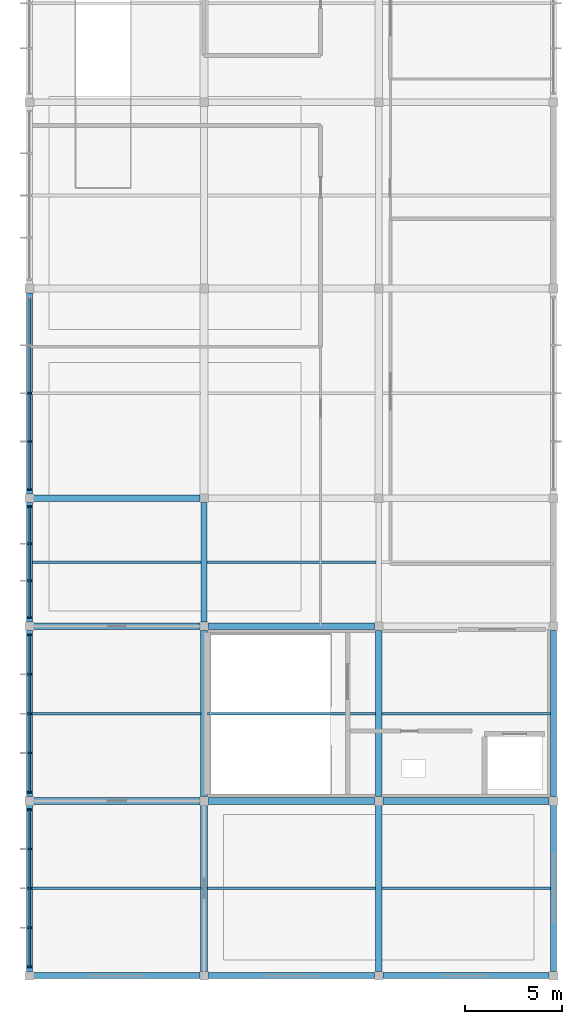
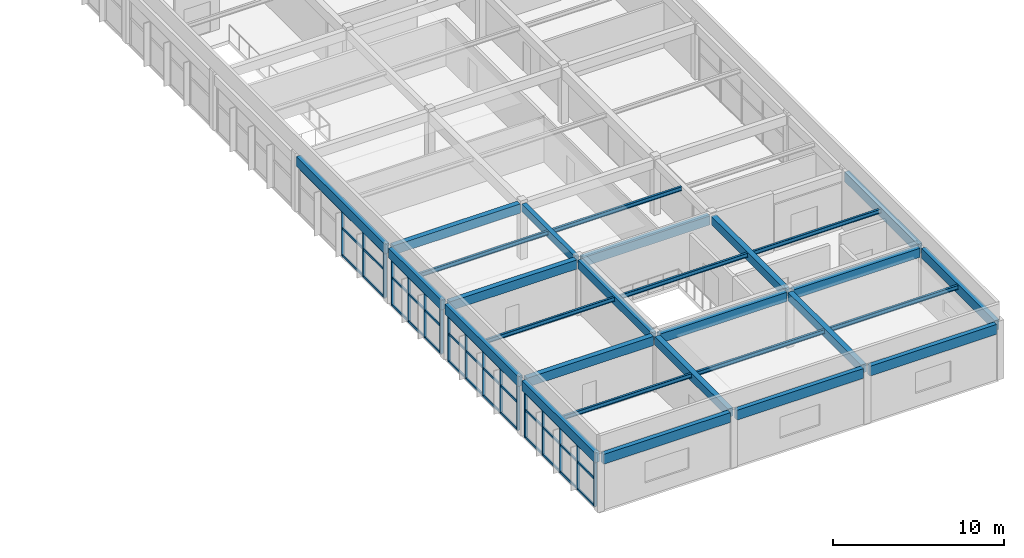
# One storey, part 2 of 10: 47 members, 28 beams, 4 elements without a shape of their own.
"""IFC4 building model written with IfcOpenShell, lengths in metres."""

from ifc_helpers import new_model, si_unit, direction, frame, origin, origin_2d, place, context, subcontext, project, spatial, rectangle, i_section, extrude, material, material_profile, profile_set, type_object, element, aggregate, save


model = new_model("IFC4")

# Units and contexts
model_context = context("Model", 3, precision=1e-05, world=origin(), true_north=direction((0.0, 1.0)))
body_context = subcontext(model_context, "Body", "Model", "MODEL_VIEW")
ifc_project = project(units=[si_unit("LENGTHUNIT", "METRE"), si_unit("AREAUNIT", "SQUARE_METRE"), si_unit("VOLUMEUNIT", "CUBIC_METRE"), si_unit("PLANEANGLEUNIT", "RADIAN"), si_unit("MASSUNIT", "GRAM", prefix="KILO")], contexts=[model_context])

# Site, building, storey
site_placement = place(None, origin())
site = spatial("IfcSite", under=ifc_project, at=site_placement, CompositionType="ELEMENT")
building_placement = place(site_placement, origin())
building = spatial("IfcBuilding", under=site, at=building_placement, Name="Suirenkawa Promenade Aquatics Centre", CompositionType="ELEMENT")
storey_placement = place(building_placement, frame((0.0, 0.0, 18.60009765625)))
storey = spatial("IfcBuildingStorey", under=building, at=storey_placement, Name="L04", CompositionType="ELEMENT", Elevation=18.60009765625)

# Beams
ifc_material_1 = material(Name="Steel IS 2062 E350 (Grade 350)", Category="steel")
ifc_material_profile_1 = material_profile(ifc_material_1, i_section(OverallWidth=0.139892578125, OverallDepth=0.300048828125, WebThickness=0.008056640625, FlangeThickness=0.012939453125, at=origin_2d()), Name="ISMB 300", Category="steel")
ifc_profile_set_1 = profile_set([ifc_material_profile_1], Name="Steel IS 2062 E350 (Grade 350)")
beam_type_1 = type_object("IfcBeamType", Name="BT-JOIST-ISMB300", PredefinedType="JOIST", material=ifc_profile_set_1)
for number, where, z_axis, x_axis, name in (
    (1, (0.14404296875, 8.699951171875, 3.81787109375), (1.0, 0.0, 0.0), (0.0, 1.0, 0.0), "Secondary floor joist JS-02 BM-0887"),
    (2, (0.14404296875, 17.699951171875, 3.81787109375), (1.0, 0.0, 0.0), (0.0, 1.0, 0.0), "Secondary floor joist JS-02 BM-0888"),
):
    element("IfcBeam", number, at=place(storey_placement, frame(where, z_axis=z_axis, x_axis=x_axis)), inside=storey, type_object=beam_type_1, Name=name, PredefinedType="JOIST", context=body_context, shape_type="SweptSolid", body=[
        extrude(i_section(OverallWidth=0.139892578125, OverallDepth=0.300048828125, WebThickness=0.008056640625, FlangeThickness=0.012939453125, at=origin_2d()), origin(), (0.0, 0.0, 1.0), 8.68701171875),
    ])
beam_1_placement = place(storey_placement, frame((0.14404296875, 25.5, 3.81787109375), z_axis=(1.0, 0.0, 0.0), x_axis=(0.0, 1.0, 0.0)))
element("IfcBeam", 3, at=beam_1_placement, inside=storey, type_object=beam_type_1, Name="Secondary floor joist JS-02 BM-0889", PredefinedType="JOIST", context=body_context, shape_type="SweptSolid", body=[
    extrude(i_section(OverallWidth=0.139892578125, OverallDepth=0.300048828125, WebThickness=0.008056640625, FlangeThickness=0.012939453125, at=origin_2d()), origin(), (0.0, 0.0, 1.0), 8.7119140625),
])
for number, where, z_axis, x_axis, name in (
    (4, (9.1689453125, 8.699951171875, 3.81787109375), (1.0, 0.0, 0.0), (0.0, 1.0, 0.0), "Secondary floor joist JS-02 BM-0894"),
    (5, (9.1689453125, 17.699951171875, 3.81787109375), (1.0, 0.0, 0.0), (0.0, 1.0, 0.0), "Secondary floor joist JS-02 BM-0895"),
):
    element("IfcBeam", number, at=place(storey_placement, frame(where, z_axis=z_axis, x_axis=x_axis)), inside=storey, type_object=beam_type_1, Name=name, PredefinedType="JOIST", context=body_context, shape_type="SweptSolid", body=[
        extrude(i_section(OverallWidth=0.139892578125, OverallDepth=0.300048828125, WebThickness=0.008056640625, FlangeThickness=0.012939453125, at=origin_2d()), origin(), (0.0, 0.0, 1.0), 8.662109375),
    ])
beam_2_placement = place(storey_placement, frame((9.14404296875, 25.5, 3.81787109375), z_axis=(1.0, 0.0, 0.0), x_axis=(0.0, 1.0, 0.0)))
element("IfcBeam", 6, at=beam_2_placement, inside=storey, type_object=beam_type_1, Name="Secondary floor joist JS-02 BM-0896", PredefinedType="JOIST", context=body_context, shape_type="SweptSolid", body=[
    extrude(i_section(OverallWidth=0.139892578125, OverallDepth=0.300048828125, WebThickness=0.008056640625, FlangeThickness=0.012939453125, at=origin_2d()), origin(), (0.0, 0.0, 1.0), 8.7119140625),
])
for number, where, z_axis, x_axis, name in (
    (7, (18.1689453125, 8.699951171875, 3.81787109375), (1.0, 0.0, 0.0), (0.0, 1.0, 0.0), "Secondary floor joist JS-02 BM-0901"),
    (8, (18.1689453125, 17.699951171875, 3.81787109375), (1.0, 0.0, 0.0), (0.0, 1.0, 0.0), "Secondary floor joist JS-02 BM-0902"),
):
    element("IfcBeam", number, at=place(storey_placement, frame(where, z_axis=z_axis, x_axis=x_axis)), inside=storey, type_object=beam_type_1, Name=name, PredefinedType="JOIST", context=body_context, shape_type="SweptSolid", body=[
        extrude(i_section(OverallWidth=0.139892578125, OverallDepth=0.300048828125, WebThickness=0.008056640625, FlangeThickness=0.012939453125, at=origin_2d()), origin(), (0.0, 0.0, 1.0), 8.68701171875),
    ])
ifc_material_2 = material(Name="Concrete M35", Category="concrete")
ifc_material_profile_2 = material_profile(ifc_material_2, rectangle(XDim=0.300048828125, YDim=0.550048828125, at=origin_2d()), Name="RC BM 300x550", Category="concrete")
ifc_profile_set_2 = profile_set([ifc_material_profile_2], Name="Concrete M35")
beam_type_2 = type_object("IfcBeamType", Name="BT-RC-300x550", PredefinedType="BEAM", material=ifc_profile_set_2)
beam_3_placement = place(storey_placement, frame((9.0, 22.4189453125, 3.69482421875), z_axis=(0.0, 1.0, 0.0), x_axis=(-1.0, 0.0, 0.0)))
element("IfcBeam", 9, at=beam_3_placement, inside=storey, type_object=beam_type_2, Name="Floor beam BM-01 BM-0868", PredefinedType="BEAM", context=body_context, shape_type="SweptSolid", body=[
    extrude(rectangle(XDim=0.300048828125, YDim=0.550048828125, at=origin_2d()), origin(), (0.0, 0.0, 1.0), 6.162109375),
])
ifc_material_profile_3 = material_profile(ifc_material_2, rectangle(XDim=0.35009765625, YDim=0.60009765625, at=origin_2d()), Name="RC BM 350x600", Category="concrete")
ifc_profile_set_3 = profile_set([ifc_material_profile_3], Name="Concrete M35")
beam_type_3 = type_object("IfcBeamType", Name="BT-RC-350x600", PredefinedType="BEAM", material=ifc_profile_set_3)
for number, where, z_axis, x_axis, name in (
    (10, (9.0, 4.4189453125, 3.669921875), (0.0, 1.0, 0.0), (-1.0, 0.0, 0.0), "Floor beam BM-02 BM-0866"),
    (11, (9.0, 13.4189453125, 3.669921875), (0.0, 1.0, 0.0), (-1.0, 0.0, 0.0), "Floor beam BM-02 BM-0867"),
    (12, (18.0, 4.4189453125, 3.669921875), (0.0, 1.0, 0.0), (-1.0, 0.0, 0.0), "Floor beam BM-02 BM-0873"),
    (13, (18.0, 13.4189453125, 3.669921875), (0.0, 1.0, 0.0), (-1.0, 0.0, 0.0), "Floor beam BM-02 BM-0874"),
):
    element("IfcBeam", number, at=place(storey_placement, frame(where, z_axis=z_axis, x_axis=x_axis)), inside=storey, type_object=beam_type_3, Name=name, PredefinedType="BEAM", context=body_context, shape_type="SweptSolid", body=[
        extrude(rectangle(XDim=0.35009765625, YDim=0.60009765625, at=origin_2d()), origin(), (0.0, 0.0, 1.0), 8.56201171875),
    ])
ifc_material_profile_4 = material_profile(ifc_material_2, rectangle(XDim=0.35009765625, YDim=0.64990234375, at=origin_2d()), Name="RC BM 350x650", Category="concrete")
ifc_profile_set_4 = profile_set([ifc_material_profile_4], Name="Concrete M35")
beam_type_4 = type_object("IfcBeamType", Name="BT-RC-350x650", PredefinedType="BEAM", material=ifc_profile_set_4)
for number, where, z_axis, x_axis, name in (
    (14, (0.218994140625, 13.199951171875, 3.64501953125), (1.0, 0.0, 0.0), (0.0, 1.0, 0.0), "Floor beam BM-03 BM-0838"),
    (15, (9.218994140625, 13.199951171875, 3.64501953125), (1.0, 0.0, 0.0), (0.0, 1.0, 0.0), "Floor beam BM-03 BM-0839"),
    (16, (18.218994140625, 13.199951171875, 3.64501953125), (1.0, 0.0, 0.0), (0.0, 1.0, 0.0), "Floor beam BM-03 BM-0840"),
    (17, (0.218994140625, 22.199951171875, 3.64501953125), (1.0, 0.0, 0.0), (0.0, 1.0, 0.0), "Floor beam BM-03 BM-0841"),
    (18, (9.218994140625, 22.199951171875, 3.64501953125), (1.0, 0.0, 0.0), (0.0, 1.0, 0.0), "Floor beam BM-03 BM-0842"),
    (19, (0.218994140625, 28.800048828125, 3.64501953125), (1.0, 0.0, 0.0), (0.0, 1.0, 0.0), "Floor beam BM-03 BM-0844"),
):
    element("IfcBeam", number, at=place(storey_placement, frame(where, z_axis=z_axis, x_axis=x_axis)), inside=storey, type_object=beam_type_4, Name=name, PredefinedType="BEAM", context=body_context, shape_type="SweptSolid", body=[
        extrude(rectangle(XDim=0.35009765625, YDim=0.64990234375, at=origin_2d()), origin(), (0.0, 0.0, 1.0), 8.56201171875),
    ])
ifc_material_3 = material(Name="Concrete M40", Category="concrete")
ifc_material_profile_5 = material_profile(ifc_material_3, rectangle(XDim=0.300048828125, YDim=0.699951171875, at=origin_2d()), Name="RC SPANDREL 300x700", Category="concrete")
ifc_profile_set_5 = profile_set([ifc_material_profile_5], Name="Concrete M40")
beam_type_5 = type_object("IfcBeamType", Name="BT-SPANDREL-300x700", PredefinedType="SPANDREL", material=ifc_profile_set_5)
for number, where, z_axis, x_axis, name in (
    (20, (0.218994140625, 4.199951171875, 3.619873046875), (1.0, 0.0, 0.0), (0.0, 1.0, 0.0), "Floor beam SP-01 BM-0835"),
    (21, (9.218994140625, 4.199951171875, 3.619873046875), (1.0, 0.0, 0.0), (0.0, 1.0, 0.0), "Floor beam SP-01 BM-0836"),
    (22, (18.218994140625, 4.199951171875, 3.619873046875), (1.0, 0.0, 0.0), (0.0, 1.0, 0.0), "Floor beam SP-01 BM-0837"),
    (23, (0.0, 4.4189453125, 3.619873046875), (0.0, 1.0, 0.0), (-1.0, 0.0, 0.0), "Floor beam SP-01 BM-0859"),
    (24, (0.0, 13.4189453125, 3.619873046875), (0.0, 1.0, 0.0), (-1.0, 0.0, 0.0), "Floor beam SP-01 BM-0860"),
):
    element("IfcBeam", number, at=place(storey_placement, frame(where, z_axis=z_axis, x_axis=x_axis)), inside=storey, type_object=beam_type_5, Name=name, PredefinedType="SPANDREL", context=body_context, shape_type="SweptSolid", body=[
        extrude(rectangle(XDim=0.300048828125, YDim=0.699951171875, at=origin_2d()), origin(), (0.0, 0.0, 1.0), 8.56201171875),
    ])
beam_4_placement = place(storey_placement, frame((0.0, 22.4189453125, 3.619873046875), z_axis=(0.0, 1.0, 0.0), x_axis=(-1.0, 0.0, 0.0)))
element("IfcBeam", 25, at=beam_4_placement, inside=storey, type_object=beam_type_5, Name="Floor beam SP-01 BM-0861", PredefinedType="SPANDREL", context=body_context, shape_type="SweptSolid", body=[
    extrude(rectangle(XDim=0.300048828125, YDim=0.699951171875, at=origin_2d()), origin(), (0.0, 0.0, 1.0), 6.162109375),
])
beam_5_placement = place(storey_placement, frame((0.0, 29.01904296875, 3.619873046875), z_axis=(0.0, 1.0, 0.0), x_axis=(-1.0, 0.0, 0.0)))
element("IfcBeam", 26, at=beam_5_placement, inside=storey, type_object=beam_type_5, Name="Floor beam SP-01 BM-0862", PredefinedType="SPANDREL", context=body_context, shape_type="SweptSolid", body=[
    extrude(rectangle(XDim=0.300048828125, YDim=0.699951171875, at=origin_2d()), origin(), (0.0, 0.0, 1.0), 10.362060546875),
])
for number, where, z_axis, x_axis, name in (
    (27, (27.0, 4.4189453125, 3.619873046875), (0.0, 1.0, 0.0), (-1.0, 0.0, 0.0), "Floor beam SP-01 BM-0880"),
    (28, (27.0, 13.4189453125, 3.619873046875), (0.0, 1.0, 0.0), (-1.0, 0.0, 0.0), "Floor beam SP-01 BM-0881"),
):
    element("IfcBeam", number, at=place(storey_placement, frame(where, z_axis=z_axis, x_axis=x_axis)), inside=storey, type_object=beam_type_5, Name=name, PredefinedType="SPANDREL", context=body_context, shape_type="SweptSolid", body=[
        extrude(rectangle(XDim=0.300048828125, YDim=0.699951171875, at=origin_2d()), origin(), (0.0, 0.0, 1.0), 8.56201171875),
    ])

# Curtain wall, members
ifc_material_4 = material(Name="Anodised aluminium 6063-T6", Category="aluminium")
curtain_wall_type_1 = type_object("IfcCurtainWallType", Name="CWAT-V5WL04-79", PredefinedType="NOTDEFINED", material=ifc_material_4)
curtain_wall_1_placement = place(storey_placement, origin())
curtain_wall_1 = element("IfcCurtainWall", 29, at=curtain_wall_1_placement, inside=storey, type_object=curtain_wall_type_1, Name="Curtain wall CWA-79 CW-145", PredefinedType="NOTDEFINED")
ifc_material_profile_6 = material_profile(ifc_material_4, rectangle(XDim=0.094970703125, YDim=0.18994140625, at=origin_2d()), Name="ALU MULL 95x190", Category="aluminium")
ifc_profile_set_6 = profile_set([ifc_material_profile_6], Name="Anodised aluminium 6063-T6")
member_type_1 = type_object("IfcMemberType", Name="CWM-190x95", PredefinedType="MULLION", material=ifc_profile_set_6)
member_1_placement = place(storey_placement, frame((0.0, 4.64892578125, 0.0), z_axis=(0.0, 0.0, 1.0), x_axis=(0.0, 1.0, 0.0)))
member_1 = element("IfcMember", 30, at=member_1_placement, type_object=member_type_1, Name="Mullion ML-02 CWM-02949", PredefinedType="MULLION", context=body_context, shape_type="SweptSolid", body=[
    extrude(rectangle(XDim=0.094970703125, YDim=0.18994140625, at=origin_2d()), origin(), (0.0, 0.0, 1.0), 3.1748046875),
])
member_2_placement = place(storey_placement, frame((0.0, 6.674560546875, 0.0), z_axis=(0.0, 0.0, 1.0), x_axis=(0.0, 1.0, 0.0)))
member_2 = element("IfcMember", 31, at=member_2_placement, type_object=member_type_1, Name="Mullion ML-02 CWM-02950", PredefinedType="MULLION", context=body_context, shape_type="SweptSolid", body=[
    extrude(rectangle(XDim=0.094970703125, YDim=0.18994140625, at=origin_2d()), origin(), (0.0, 0.0, 1.0), 3.1748046875),
])
member_3_placement = place(storey_placement, frame((0.0, 8.699951171875, 0.0), z_axis=(0.0, 0.0, 1.0), x_axis=(0.0, 1.0, 0.0)))
member_3 = element("IfcMember", 32, at=member_3_placement, type_object=member_type_1, Name="Mullion ML-02 CWM-02951", PredefinedType="MULLION", context=body_context, shape_type="SweptSolid", body=[
    extrude(rectangle(XDim=0.094970703125, YDim=0.18994140625, at=origin_2d()), origin(), (0.0, 0.0, 1.0), 3.1748046875),
])
member_4_placement = place(storey_placement, frame((0.0, 10.7255859375, 0.0), z_axis=(0.0, 0.0, 1.0), x_axis=(0.0, 1.0, 0.0)))
member_4 = element("IfcMember", 33, at=member_4_placement, type_object=member_type_1, Name="Mullion ML-02 CWM-02952", PredefinedType="MULLION", context=body_context, shape_type="SweptSolid", body=[
    extrude(rectangle(XDim=0.094970703125, YDim=0.18994140625, at=origin_2d()), origin(), (0.0, 0.0, 1.0), 3.1748046875),
])
member_5_placement = place(storey_placement, frame((0.0, 12.7509765625, 0.0), z_axis=(0.0, 0.0, 1.0), x_axis=(0.0, 1.0, 0.0)))
member_5 = element("IfcMember", 34, at=member_5_placement, type_object=member_type_1, Name="Mullion ML-02 CWM-02953", PredefinedType="MULLION", context=body_context, shape_type="SweptSolid", body=[
    extrude(rectangle(XDim=0.094970703125, YDim=0.18994140625, at=origin_2d()), origin(), (0.0, 0.0, 1.0), 3.1748046875),
])

curtain_wall_2_placement = place(storey_placement, origin())
curtain_wall_2 = element("IfcCurtainWall", 35, at=curtain_wall_2_placement, inside=storey, type_object=curtain_wall_type_1, Name="Curtain wall CWA-79 CW-146", PredefinedType="NOTDEFINED")
member_6_placement = place(storey_placement, frame((0.0, 13.64892578125, 0.0), z_axis=(0.0, 0.0, 1.0), x_axis=(0.0, 1.0, 0.0)))
member_6 = element("IfcMember", 36, at=member_6_placement, type_object=member_type_1, Name="Mullion ML-02 CWM-02971", PredefinedType="MULLION", context=body_context, shape_type="SweptSolid", body=[
    extrude(rectangle(XDim=0.094970703125, YDim=0.18994140625, at=origin_2d()), origin(), (0.0, 0.0, 1.0), 3.1748046875),
])
member_7_placement = place(storey_placement, frame((0.0, 15.674560546875, 0.0), z_axis=(0.0, 0.0, 1.0), x_axis=(0.0, 1.0, 0.0)))
member_7 = element("IfcMember", 37, at=member_7_placement, type_object=member_type_1, Name="Mullion ML-02 CWM-02972", PredefinedType="MULLION", context=body_context, shape_type="SweptSolid", body=[
    extrude(rectangle(XDim=0.094970703125, YDim=0.18994140625, at=origin_2d()), origin(), (0.0, 0.0, 1.0), 3.1748046875),
])
member_8_placement = place(storey_placement, frame((0.0, 17.699951171875, 0.0), z_axis=(0.0, 0.0, 1.0), x_axis=(0.0, 1.0, 0.0)))
member_8 = element("IfcMember", 38, at=member_8_placement, type_object=member_type_1, Name="Mullion ML-02 CWM-02973", PredefinedType="MULLION", context=body_context, shape_type="SweptSolid", body=[
    extrude(rectangle(XDim=0.094970703125, YDim=0.18994140625, at=origin_2d()), origin(), (0.0, 0.0, 1.0), 3.1748046875),
])
member_9_placement = place(storey_placement, frame((0.0, 19.7255859375, 0.0), z_axis=(0.0, 0.0, 1.0), x_axis=(0.0, 1.0, 0.0)))
member_9 = element("IfcMember", 39, at=member_9_placement, type_object=member_type_1, Name="Mullion ML-02 CWM-02974", PredefinedType="MULLION", context=body_context, shape_type="SweptSolid", body=[
    extrude(rectangle(XDim=0.094970703125, YDim=0.18994140625, at=origin_2d()), origin(), (0.0, 0.0, 1.0), 3.1748046875),
])
member_10_placement = place(storey_placement, frame((0.0, 21.7509765625, 0.0), z_axis=(0.0, 0.0, 1.0), x_axis=(0.0, 1.0, 0.0)))
member_10 = element("IfcMember", 40, at=member_10_placement, type_object=member_type_1, Name="Mullion ML-02 CWM-02975", PredefinedType="MULLION", context=body_context, shape_type="SweptSolid", body=[
    extrude(rectangle(XDim=0.094970703125, YDim=0.18994140625, at=origin_2d()), origin(), (0.0, 0.0, 1.0), 3.1748046875),
])

curtain_wall_type_2 = type_object("IfcCurtainWallType", Name="CWAT-V5WL04-80", PredefinedType="NOTDEFINED", material=ifc_material_4)
curtain_wall_3_placement = place(storey_placement, origin())
curtain_wall_3 = element("IfcCurtainWall", 41, at=curtain_wall_3_placement, inside=storey, type_object=curtain_wall_type_2, Name="Curtain wall CWA-80 CW-147", PredefinedType="NOTDEFINED")
member_11_placement = place(storey_placement, frame((0.0, 22.64892578125, 0.0), z_axis=(0.0, 0.0, 1.0), x_axis=(0.0, 1.0, 0.0)))
member_11 = element("IfcMember", 42, at=member_11_placement, type_object=member_type_1, Name="Mullion ML-02 CWM-02993", PredefinedType="MULLION", context=body_context, shape_type="SweptSolid", body=[
    extrude(rectangle(XDim=0.094970703125, YDim=0.18994140625, at=origin_2d()), origin(), (0.0, 0.0, 1.0), 3.1748046875),
])
member_12_placement = place(storey_placement, frame((0.0, 24.549560546875, 0.0), z_axis=(0.0, 0.0, 1.0), x_axis=(0.0, 1.0, 0.0)))
member_12 = element("IfcMember", 43, at=member_12_placement, type_object=member_type_1, Name="Mullion ML-02 CWM-02994", PredefinedType="MULLION", context=body_context, shape_type="SweptSolid", body=[
    extrude(rectangle(XDim=0.094970703125, YDim=0.18994140625, at=origin_2d()), origin(), (0.0, 0.0, 1.0), 3.1748046875),
])
member_13_placement = place(storey_placement, frame((0.0, 26.450439453125, 0.0), z_axis=(0.0, 0.0, 1.0), x_axis=(0.0, 1.0, 0.0)))
member_13 = element("IfcMember", 44, at=member_13_placement, type_object=member_type_1, Name="Mullion ML-02 CWM-02995", PredefinedType="MULLION", context=body_context, shape_type="SweptSolid", body=[
    extrude(rectangle(XDim=0.094970703125, YDim=0.18994140625, at=origin_2d()), origin(), (0.0, 0.0, 1.0), 3.1748046875),
])
member_14_placement = place(storey_placement, frame((0.0, 28.35107421875, 0.0), z_axis=(0.0, 0.0, 1.0), x_axis=(0.0, 1.0, 0.0)))
member_14 = element("IfcMember", 45, at=member_14_placement, type_object=member_type_1, Name="Mullion ML-02 CWM-02996", PredefinedType="MULLION", context=body_context, shape_type="SweptSolid", body=[
    extrude(rectangle(XDim=0.094970703125, YDim=0.18994140625, at=origin_2d()), origin(), (0.0, 0.0, 1.0), 3.1748046875),
])

curtain_wall_type_3 = type_object("IfcCurtainWallType", Name="CWAT-V5WL04-81", PredefinedType="NOTDEFINED", material=ifc_material_4)
curtain_wall_4_placement = place(storey_placement, origin())
curtain_wall_4 = element("IfcCurtainWall", 46, at=curtain_wall_4_placement, inside=storey, type_object=curtain_wall_type_3, Name="Curtain wall CWA-81 CW-148", PredefinedType="NOTDEFINED")
member_15_placement = place(storey_placement, frame((0.0, 29.2490234375, 0.0), z_axis=(0.0, 0.0, 1.0), x_axis=(0.0, 1.0, 0.0)))
member_15 = element("IfcMember", 47, at=member_15_placement, type_object=member_type_1, Name="Mullion ML-02 CWM-03010", PredefinedType="MULLION", context=body_context, shape_type="SweptSolid", body=[
    extrude(rectangle(XDim=0.094970703125, YDim=0.18994140625, at=origin_2d()), origin(), (0.0, 0.0, 1.0), 3.1748046875),
])
member_16_placement = place(storey_placement, frame((0.0, 31.724609375, 0.0), z_axis=(0.0, 0.0, 1.0), x_axis=(0.0, 1.0, 0.0)))
member_16 = element("IfcMember", 48, at=member_16_placement, type_object=member_type_1, Name="Mullion ML-02 CWM-03011", PredefinedType="MULLION", context=body_context, shape_type="SweptSolid", body=[
    extrude(rectangle(XDim=0.094970703125, YDim=0.18994140625, at=origin_2d()), origin(), (0.0, 0.0, 1.0), 3.1748046875),
])
member_17_placement = place(storey_placement, frame((0.0, 34.199951171875, 0.0), z_axis=(0.0, 0.0, 1.0), x_axis=(0.0, 1.0, 0.0)))
member_17 = element("IfcMember", 49, at=member_17_placement, type_object=member_type_1, Name="Mullion ML-02 CWM-03012", PredefinedType="MULLION", context=body_context, shape_type="SweptSolid", body=[
    extrude(rectangle(XDim=0.094970703125, YDim=0.18994140625, at=origin_2d()), origin(), (0.0, 0.0, 1.0), 3.1748046875),
])

# Member
ifc_material_profile_7 = material_profile(ifc_material_4, rectangle(XDim=0.094970703125, YDim=0.14990234375, at=origin_2d()), Name="ALU TRAN 95x150", Category="aluminium")
ifc_profile_set_7 = profile_set([ifc_material_profile_7], Name="Anodised aluminium 6063-T6")
member_type_2 = type_object("IfcMemberType", Name="CWT-150x95", PredefinedType="USERDEFINED", material=ifc_profile_set_7)
member_18_placement = place(storey_placement, frame((0.0, 4.64892578125, 0.0), z_axis=(0.0, 1.0, 0.0), x_axis=(-1.0, 0.0, 0.0)))
member_18 = element("IfcMember", 50, at=member_18_placement, type_object=member_type_2, Name="Transom TR-02 CWT-02954", ObjectType="TRANSOM", PredefinedType="USERDEFINED", context=body_context, shape_type="SweptSolid", body=[
    extrude(rectangle(XDim=0.094970703125, YDim=0.14990234375, at=origin_2d()), origin(), (0.0, 0.0, 1.0), 2.025634765625),
])

member_19_placement = place(storey_placement, frame((0.0, 6.674560546875, 0.0), z_axis=(0.0, 1.0, 0.0), x_axis=(-1.0, 0.0, 0.0)))
member_19 = element("IfcMember", 51, at=member_19_placement, type_object=member_type_2, Name="Transom TR-02 CWT-02955", ObjectType="TRANSOM", PredefinedType="USERDEFINED", context=body_context, shape_type="SweptSolid", body=[
    extrude(rectangle(XDim=0.094970703125, YDim=0.14990234375, at=origin_2d()), origin(), (0.0, 0.0, 1.0), 2.025390625),
])

member_20_placement = place(storey_placement, frame((0.0, 8.699951171875, 0.0), z_axis=(0.0, 1.0, 0.0), x_axis=(-1.0, 0.0, 0.0)))
member_20 = element("IfcMember", 52, at=member_20_placement, type_object=member_type_2, Name="Transom TR-02 CWT-02956", ObjectType="TRANSOM", PredefinedType="USERDEFINED", context=body_context, shape_type="SweptSolid", body=[
    extrude(rectangle(XDim=0.094970703125, YDim=0.14990234375, at=origin_2d()), origin(), (0.0, 0.0, 1.0), 2.025634765625),
])

member_21_placement = place(storey_placement, frame((0.0, 10.7255859375, 0.0), z_axis=(0.0, 1.0, 0.0), x_axis=(-1.0, 0.0, 0.0)))
member_21 = element("IfcMember", 53, at=member_21_placement, type_object=member_type_2, Name="Transom TR-02 CWT-02957", ObjectType="TRANSOM", PredefinedType="USERDEFINED", context=body_context, shape_type="SweptSolid", body=[
    extrude(rectangle(XDim=0.094970703125, YDim=0.14990234375, at=origin_2d()), origin(), (0.0, 0.0, 1.0), 2.025390625),
])

member_22_placement = place(storey_placement, frame((0.0, 4.64892578125, 1.949951171875), z_axis=(0.0, 1.0, 0.0), x_axis=(-1.0, 0.0, 0.0)))
member_22 = element("IfcMember", 54, at=member_22_placement, type_object=member_type_2, Name="Transom TR-02 CWT-02958", ObjectType="TRANSOM", PredefinedType="USERDEFINED", context=body_context, shape_type="SweptSolid", body=[
    extrude(rectangle(XDim=0.094970703125, YDim=0.14990234375, at=origin_2d()), origin(), (0.0, 0.0, 1.0), 2.025634765625),
])

member_23_placement = place(storey_placement, frame((0.0, 6.674560546875, 1.949951171875), z_axis=(0.0, 1.0, 0.0), x_axis=(-1.0, 0.0, 0.0)))
member_23 = element("IfcMember", 55, at=member_23_placement, type_object=member_type_2, Name="Transom TR-02 CWT-02959", ObjectType="TRANSOM", PredefinedType="USERDEFINED", context=body_context, shape_type="SweptSolid", body=[
    extrude(rectangle(XDim=0.094970703125, YDim=0.14990234375, at=origin_2d()), origin(), (0.0, 0.0, 1.0), 2.025390625),
])

member_24_placement = place(storey_placement, frame((0.0, 8.699951171875, 1.949951171875), z_axis=(0.0, 1.0, 0.0), x_axis=(-1.0, 0.0, 0.0)))
member_24 = element("IfcMember", 56, at=member_24_placement, type_object=member_type_2, Name="Transom TR-02 CWT-02960", ObjectType="TRANSOM", PredefinedType="USERDEFINED", context=body_context, shape_type="SweptSolid", body=[
    extrude(rectangle(XDim=0.094970703125, YDim=0.14990234375, at=origin_2d()), origin(), (0.0, 0.0, 1.0), 2.025634765625),
])

member_25_placement = place(storey_placement, frame((0.0, 10.7255859375, 1.949951171875), z_axis=(0.0, 1.0, 0.0), x_axis=(-1.0, 0.0, 0.0)))
member_25 = element("IfcMember", 57, at=member_25_placement, type_object=member_type_2, Name="Transom TR-02 CWT-02961", ObjectType="TRANSOM", PredefinedType="USERDEFINED", context=body_context, shape_type="SweptSolid", body=[
    extrude(rectangle(XDim=0.094970703125, YDim=0.14990234375, at=origin_2d()), origin(), (0.0, 0.0, 1.0), 2.025390625),
])

member_26_placement = place(storey_placement, frame((0.0, 4.64892578125, 3.1748046875), z_axis=(0.0, 1.0, 0.0), x_axis=(-1.0, 0.0, 0.0)))
member_26 = element("IfcMember", 58, at=member_26_placement, type_object=member_type_2, Name="Roofline transom TR-02 CWT-02962", ObjectType="TRANSOM", PredefinedType="USERDEFINED", context=body_context, shape_type="SweptSolid", body=[
    extrude(rectangle(XDim=0.094970703125, YDim=0.14990234375, at=origin_2d()), origin(), (0.0, 0.0, 1.0), 8.10205078125),
])

aggregate(curtain_wall_1, [member_1, member_2, member_3, member_4, member_5, member_18, member_19, member_20, member_21, member_22, member_23, member_24, member_25, member_26])

member_27_placement = place(storey_placement, frame((0.0, 13.64892578125, 0.0), z_axis=(0.0, 1.0, 0.0), x_axis=(-1.0, 0.0, 0.0)))
member_27 = element("IfcMember", 59, at=member_27_placement, type_object=member_type_2, Name="Transom TR-02 CWT-02976", ObjectType="TRANSOM", PredefinedType="USERDEFINED", context=body_context, shape_type="SweptSolid", body=[
    extrude(rectangle(XDim=0.094970703125, YDim=0.14990234375, at=origin_2d()), origin(), (0.0, 0.0, 1.0), 2.025634765625),
])

member_28_placement = place(storey_placement, frame((0.0, 15.674560546875, 0.0), z_axis=(0.0, 1.0, 0.0), x_axis=(-1.0, 0.0, 0.0)))
member_28 = element("IfcMember", 60, at=member_28_placement, type_object=member_type_2, Name="Transom TR-02 CWT-02977", ObjectType="TRANSOM", PredefinedType="USERDEFINED", context=body_context, shape_type="SweptSolid", body=[
    extrude(rectangle(XDim=0.094970703125, YDim=0.14990234375, at=origin_2d()), origin(), (0.0, 0.0, 1.0), 2.025390625),
])

member_29_placement = place(storey_placement, frame((0.0, 17.699951171875, 0.0), z_axis=(0.0, 1.0, 0.0), x_axis=(-1.0, 0.0, 0.0)))
member_29 = element("IfcMember", 61, at=member_29_placement, type_object=member_type_2, Name="Transom TR-02 CWT-02978", ObjectType="TRANSOM", PredefinedType="USERDEFINED", context=body_context, shape_type="SweptSolid", body=[
    extrude(rectangle(XDim=0.094970703125, YDim=0.14990234375, at=origin_2d()), origin(), (0.0, 0.0, 1.0), 2.025634765625),
])

member_30_placement = place(storey_placement, frame((0.0, 19.7255859375, 0.0), z_axis=(0.0, 1.0, 0.0), x_axis=(-1.0, 0.0, 0.0)))
member_30 = element("IfcMember", 62, at=member_30_placement, type_object=member_type_2, Name="Transom TR-02 CWT-02979", ObjectType="TRANSOM", PredefinedType="USERDEFINED", context=body_context, shape_type="SweptSolid", body=[
    extrude(rectangle(XDim=0.094970703125, YDim=0.14990234375, at=origin_2d()), origin(), (0.0, 0.0, 1.0), 2.025390625),
])

member_31_placement = place(storey_placement, frame((0.0, 13.64892578125, 1.949951171875), z_axis=(0.0, 1.0, 0.0), x_axis=(-1.0, 0.0, 0.0)))
member_31 = element("IfcMember", 63, at=member_31_placement, type_object=member_type_2, Name="Transom TR-02 CWT-02980", ObjectType="TRANSOM", PredefinedType="USERDEFINED", context=body_context, shape_type="SweptSolid", body=[
    extrude(rectangle(XDim=0.094970703125, YDim=0.14990234375, at=origin_2d()), origin(), (0.0, 0.0, 1.0), 2.025634765625),
])

member_32_placement = place(storey_placement, frame((0.0, 15.674560546875, 1.949951171875), z_axis=(0.0, 1.0, 0.0), x_axis=(-1.0, 0.0, 0.0)))
member_32 = element("IfcMember", 64, at=member_32_placement, type_object=member_type_2, Name="Transom TR-02 CWT-02981", ObjectType="TRANSOM", PredefinedType="USERDEFINED", context=body_context, shape_type="SweptSolid", body=[
    extrude(rectangle(XDim=0.094970703125, YDim=0.14990234375, at=origin_2d()), origin(), (0.0, 0.0, 1.0), 2.025390625),
])

member_33_placement = place(storey_placement, frame((0.0, 17.699951171875, 1.949951171875), z_axis=(0.0, 1.0, 0.0), x_axis=(-1.0, 0.0, 0.0)))
member_33 = element("IfcMember", 65, at=member_33_placement, type_object=member_type_2, Name="Transom TR-02 CWT-02982", ObjectType="TRANSOM", PredefinedType="USERDEFINED", context=body_context, shape_type="SweptSolid", body=[
    extrude(rectangle(XDim=0.094970703125, YDim=0.14990234375, at=origin_2d()), origin(), (0.0, 0.0, 1.0), 2.025634765625),
])

member_34_placement = place(storey_placement, frame((0.0, 19.7255859375, 1.949951171875), z_axis=(0.0, 1.0, 0.0), x_axis=(-1.0, 0.0, 0.0)))
member_34 = element("IfcMember", 66, at=member_34_placement, type_object=member_type_2, Name="Transom TR-02 CWT-02983", ObjectType="TRANSOM", PredefinedType="USERDEFINED", context=body_context, shape_type="SweptSolid", body=[
    extrude(rectangle(XDim=0.094970703125, YDim=0.14990234375, at=origin_2d()), origin(), (0.0, 0.0, 1.0), 2.025390625),
])

member_35_placement = place(storey_placement, frame((0.0, 13.64892578125, 3.1748046875), z_axis=(0.0, 1.0, 0.0), x_axis=(-1.0, 0.0, 0.0)))
member_35 = element("IfcMember", 67, at=member_35_placement, type_object=member_type_2, Name="Roofline transom TR-02 CWT-02984", ObjectType="TRANSOM", PredefinedType="USERDEFINED", context=body_context, shape_type="SweptSolid", body=[
    extrude(rectangle(XDim=0.094970703125, YDim=0.14990234375, at=origin_2d()), origin(), (0.0, 0.0, 1.0), 8.10205078125),
])

aggregate(curtain_wall_2, [member_6, member_7, member_8, member_9, member_10, member_27, member_28, member_29, member_30, member_31, member_32, member_33, member_34, member_35])

member_36_placement = place(storey_placement, frame((0.0, 22.64892578125, 0.0), z_axis=(0.0, 1.0, 0.0), x_axis=(-1.0, 0.0, 0.0)))
member_36 = element("IfcMember", 68, at=member_36_placement, type_object=member_type_2, Name="Transom TR-02 CWT-02997", ObjectType="TRANSOM", PredefinedType="USERDEFINED", context=body_context, shape_type="SweptSolid", body=[
    extrude(rectangle(XDim=0.094970703125, YDim=0.14990234375, at=origin_2d()), origin(), (0.0, 0.0, 1.0), 1.900634765625),
])

member_37_placement = place(storey_placement, frame((0.0, 24.549560546875, 0.0), z_axis=(0.0, 1.0, 0.0), x_axis=(-1.0, 0.0, 0.0)))
member_37 = element("IfcMember", 69, at=member_37_placement, type_object=member_type_2, Name="Transom TR-02 CWT-02998", ObjectType="TRANSOM", PredefinedType="USERDEFINED", context=body_context, shape_type="SweptSolid", body=[
    extrude(rectangle(XDim=0.094970703125, YDim=0.14990234375, at=origin_2d()), origin(), (0.0, 0.0, 1.0), 1.90087890625),
])

member_38_placement = place(storey_placement, frame((0.0, 26.450439453125, 0.0), z_axis=(0.0, 1.0, 0.0), x_axis=(-1.0, 0.0, 0.0)))
member_38 = element("IfcMember", 70, at=member_38_placement, type_object=member_type_2, Name="Transom TR-02 CWT-02999", ObjectType="TRANSOM", PredefinedType="USERDEFINED", context=body_context, shape_type="SweptSolid", body=[
    extrude(rectangle(XDim=0.094970703125, YDim=0.14990234375, at=origin_2d()), origin(), (0.0, 0.0, 1.0), 1.900634765625),
])

member_39_placement = place(storey_placement, frame((0.0, 22.64892578125, 1.949951171875), z_axis=(0.0, 1.0, 0.0), x_axis=(-1.0, 0.0, 0.0)))
member_39 = element("IfcMember", 71, at=member_39_placement, type_object=member_type_2, Name="Transom TR-02 CWT-03000", ObjectType="TRANSOM", PredefinedType="USERDEFINED", context=body_context, shape_type="SweptSolid", body=[
    extrude(rectangle(XDim=0.094970703125, YDim=0.14990234375, at=origin_2d()), origin(), (0.0, 0.0, 1.0), 1.900634765625),
])

member_40_placement = place(storey_placement, frame((0.0, 24.549560546875, 1.949951171875), z_axis=(0.0, 1.0, 0.0), x_axis=(-1.0, 0.0, 0.0)))
member_40 = element("IfcMember", 72, at=member_40_placement, type_object=member_type_2, Name="Transom TR-02 CWT-03001", ObjectType="TRANSOM", PredefinedType="USERDEFINED", context=body_context, shape_type="SweptSolid", body=[
    extrude(rectangle(XDim=0.094970703125, YDim=0.14990234375, at=origin_2d()), origin(), (0.0, 0.0, 1.0), 1.90087890625),
])

member_41_placement = place(storey_placement, frame((0.0, 26.450439453125, 1.949951171875), z_axis=(0.0, 1.0, 0.0), x_axis=(-1.0, 0.0, 0.0)))
member_41 = element("IfcMember", 73, at=member_41_placement, type_object=member_type_2, Name="Transom TR-02 CWT-03002", ObjectType="TRANSOM", PredefinedType="USERDEFINED", context=body_context, shape_type="SweptSolid", body=[
    extrude(rectangle(XDim=0.094970703125, YDim=0.14990234375, at=origin_2d()), origin(), (0.0, 0.0, 1.0), 1.900634765625),
])

member_42_placement = place(storey_placement, frame((0.0, 22.64892578125, 3.1748046875), z_axis=(0.0, 1.0, 0.0), x_axis=(-1.0, 0.0, 0.0)))
member_42 = element("IfcMember", 74, at=member_42_placement, type_object=member_type_2, Name="Roofline transom TR-02 CWT-03003", ObjectType="TRANSOM", PredefinedType="USERDEFINED", context=body_context, shape_type="SweptSolid", body=[
    extrude(rectangle(XDim=0.094970703125, YDim=0.14990234375, at=origin_2d()), origin(), (0.0, 0.0, 1.0), 5.7021484375),
])

aggregate(curtain_wall_3, [member_11, member_12, member_13, member_14, member_36, member_37, member_38, member_39, member_40, member_41, member_42])

member_43_placement = place(storey_placement, frame((0.0, 29.2490234375, 0.0), z_axis=(0.0, 1.0, 0.0), x_axis=(-1.0, 0.0, 0.0)))
member_43 = element("IfcMember", 75, at=member_43_placement, type_object=member_type_2, Name="Transom TR-02 CWT-03015", ObjectType="TRANSOM", PredefinedType="USERDEFINED", context=body_context, shape_type="SweptSolid", body=[
    extrude(rectangle(XDim=0.094970703125, YDim=0.14990234375, at=origin_2d()), origin(), (0.0, 0.0, 1.0), 2.4755859375),
])

member_44_placement = place(storey_placement, frame((0.0, 31.724609375, 0.0), z_axis=(0.0, 1.0, 0.0), x_axis=(-1.0, 0.0, 0.0)))
member_44 = element("IfcMember", 76, at=member_44_placement, type_object=member_type_2, Name="Transom TR-02 CWT-03016", ObjectType="TRANSOM", PredefinedType="USERDEFINED", context=body_context, shape_type="SweptSolid", body=[
    extrude(rectangle(XDim=0.094970703125, YDim=0.14990234375, at=origin_2d()), origin(), (0.0, 0.0, 1.0), 2.475341796875),
])

member_45_placement = place(storey_placement, frame((0.0, 29.2490234375, 1.949951171875), z_axis=(0.0, 1.0, 0.0), x_axis=(-1.0, 0.0, 0.0)))
member_45 = element("IfcMember", 77, at=member_45_placement, type_object=member_type_2, Name="Transom TR-02 CWT-03019", ObjectType="TRANSOM", PredefinedType="USERDEFINED", context=body_context, shape_type="SweptSolid", body=[
    extrude(rectangle(XDim=0.094970703125, YDim=0.14990234375, at=origin_2d()), origin(), (0.0, 0.0, 1.0), 2.4755859375),
])

member_46_placement = place(storey_placement, frame((0.0, 31.724609375, 1.949951171875), z_axis=(0.0, 1.0, 0.0), x_axis=(-1.0, 0.0, 0.0)))
member_46 = element("IfcMember", 78, at=member_46_placement, type_object=member_type_2, Name="Transom TR-02 CWT-03020", ObjectType="TRANSOM", PredefinedType="USERDEFINED", context=body_context, shape_type="SweptSolid", body=[
    extrude(rectangle(XDim=0.094970703125, YDim=0.14990234375, at=origin_2d()), origin(), (0.0, 0.0, 1.0), 2.475341796875),
])

member_47_placement = place(storey_placement, frame((0.0, 29.2490234375, 3.1748046875), z_axis=(0.0, 1.0, 0.0), x_axis=(-1.0, 0.0, 0.0)))
member_47 = element("IfcMember", 79, at=member_47_placement, type_object=member_type_2, Name="Roofline transom TR-02 CWT-03023", ObjectType="TRANSOM", PredefinedType="USERDEFINED", context=body_context, shape_type="SweptSolid", body=[
    extrude(rectangle(XDim=0.094970703125, YDim=0.14990234375, at=origin_2d()), origin(), (0.0, 0.0, 1.0), 9.90185546875),
])

aggregate(curtain_wall_4, [member_15, member_16, member_17, member_43, member_44, member_45, member_46, member_47])

save(model, "model.ifc")
